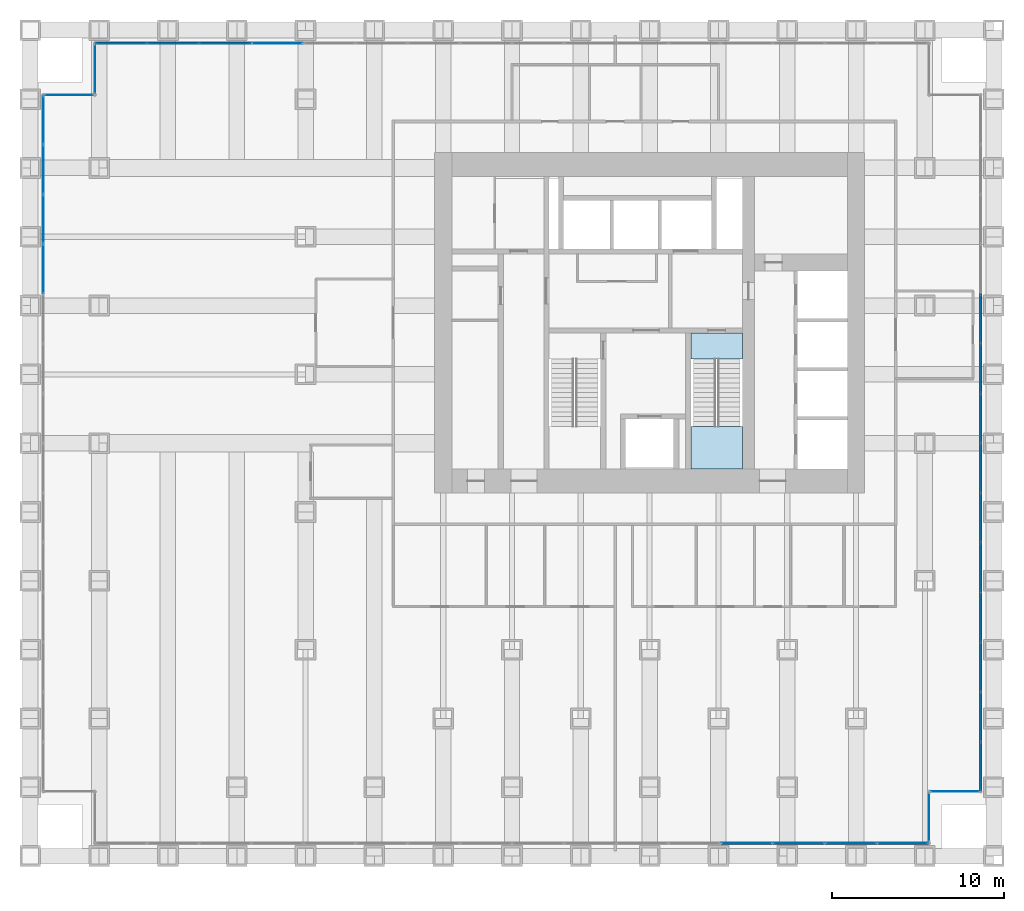
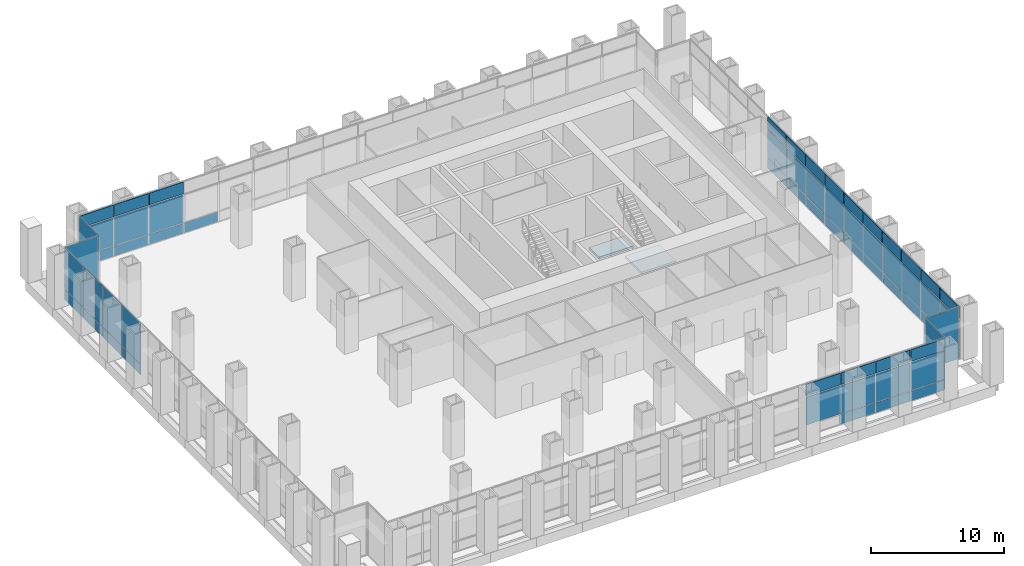
# One storey, part 13 of 18: 63 plates, 2 slabs, 12 elements without a shape of their own.
"""IFC4 building model written with IfcOpenShell, lengths in metres."""

from ifc_helpers import new_model, si_unit, direction, frame, origin, origin_2d, place, context, subcontext, project, spatial, polyline, rectangle, outline, extrude, material, layer, layer_set, type_object, element, aggregate, save


model = new_model("IFC4")

# Units and contexts
model_context = context("Model", 3, precision=1e-05, world=origin(), true_north=direction((0.0, 1.0)))
body_context = subcontext(model_context, "Body", "Model", "MODEL_VIEW")
ifc_project = project(units=[si_unit("LENGTHUNIT", "METRE"), si_unit("AREAUNIT", "SQUARE_METRE"), si_unit("VOLUMEUNIT", "CUBIC_METRE"), si_unit("PLANEANGLEUNIT", "RADIAN"), si_unit("MASSUNIT", "GRAM", prefix="KILO")], contexts=[model_context])

# Site, building, storey
site_placement = place(None, origin())
site = spatial("IfcSite", under=ifc_project, at=site_placement, CompositionType="ELEMENT")
building_placement = place(site_placement, origin())
building = spatial("IfcBuilding", under=site, at=building_placement, Name="Rimbunsela Tower", CompositionType="ELEMENT")
storey_placement = place(building_placement, frame((0.0, 0.0, 6.0)))
storey = spatial("IfcBuildingStorey", under=building, at=storey_placement, Name="L01", CompositionType="ELEMENT", Elevation=6.0)

# Curtain wall, plate
ifc_material_1 = material(Name="Aluminium curtain wall", Category="aluminium")
curtain_wall_type_1 = type_object("IfcCurtainWallType", Name="Corner glazing", PredefinedType="USERDEFINED", material=ifc_material_1)
curtain_wall_1_placement = place(storey_placement, origin())
curtain_wall_1 = element("IfcCurtainWall", 1, at=curtain_wall_1_placement, inside=storey, type_object=curtain_wall_type_1, Name="Corner glazing L01", ObjectType="CORNER GLAZING", PredefinedType="USERDEFINED")
ifc_material_2 = material(Name="Clear double glazing", Category="glass")
ifc_layer_1 = layer(ifc_material_2, 0.028076171875)
ifc_layer_set_1 = layer_set([ifc_layer_1], Name="Glazed panel clear")
plate_type_1 = type_object("IfcPlateType", Name="Glazed panel clear", PredefinedType="CURTAIN_PANEL", material=ifc_layer_set_1)
plate_1_placement = place(storey_placement, frame((46.25, -1.75, 0.06005859375), z_axis=(0.0, 0.0, 1.0), x_axis=(0.0, 1.0, 0.0)))
plate_1 = element("IfcPlate", 2, at=plate_1_placement, type_object=plate_type_1, Name="CW5 panel 1.1", PredefinedType="CURTAIN_PANEL", context=body_context, shape_type="SweptSolid", body=[
    extrude(rectangle(XDim=2.8798828125, YDim=0.028076171875, at=origin_2d()), origin(), (0.0, 0.0, 1.0), 4.72998046875),
])
aggregate(curtain_wall_1, [plate_1])

curtain_wall_2_placement = place(storey_placement, origin())
curtain_wall_2 = element("IfcCurtainWall", 3, at=curtain_wall_2_placement, inside=storey, type_object=curtain_wall_type_1, Name="Corner glazing L01", ObjectType="CORNER GLAZING", PredefinedType="USERDEFINED")
plate_2_placement = place(storey_placement, frame((47.75, -0.25, 0.06005859375), z_axis=(0.0, 0.0, 1.0), x_axis=(1.0, 0.0, 0.0)))
plate_2 = element("IfcPlate", 4, at=plate_2_placement, type_object=plate_type_1, Name="CW5 panel 1.1", PredefinedType="CURTAIN_PANEL", context=body_context, shape_type="SweptSolid", body=[
    extrude(rectangle(XDim=2.8798828125, YDim=0.028076171875, at=origin_2d()), origin(), (0.0, 0.0, 1.0), 4.72998046875),
])
aggregate(curtain_wall_2, [plate_2])

curtain_wall_3_placement = place(storey_placement, origin())
curtain_wall_3 = element("IfcCurtainWall", 5, at=curtain_wall_3_placement, inside=storey, type_object=curtain_wall_type_1, Name="Corner glazing L01", ObjectType="CORNER GLAZING", PredefinedType="USERDEFINED")
plate_3_placement = place(storey_placement, frame((-2.25, 41.75, 0.06005859375), z_axis=(0.0, 0.0, 1.0), x_axis=(0.0, -1.0, 0.0)))
plate_3 = element("IfcPlate", 6, at=plate_3_placement, type_object=plate_type_1, Name="CW5 panel 1.1", PredefinedType="CURTAIN_PANEL", context=body_context, shape_type="SweptSolid", body=[
    extrude(rectangle(XDim=2.8798828125, YDim=0.028076171875, at=origin_2d()), origin(), (0.0, 0.0, 1.0), 4.72998046875),
])
aggregate(curtain_wall_3, [plate_3])

curtain_wall_4_placement = place(storey_placement, origin())
curtain_wall_4 = element("IfcCurtainWall", 7, at=curtain_wall_4_placement, inside=storey, type_object=curtain_wall_type_1, Name="Corner glazing L01", ObjectType="CORNER GLAZING", PredefinedType="USERDEFINED")
plate_4_placement = place(storey_placement, frame((-3.75, 40.25, 0.06005859375), z_axis=(0.0, 0.0, 1.0), x_axis=(-1.0, 0.0, 0.0)))
plate_4 = element("IfcPlate", 8, at=plate_4_placement, type_object=plate_type_1, Name="CW5 panel 1.1", PredefinedType="CURTAIN_PANEL", context=body_context, shape_type="SweptSolid", body=[
    extrude(rectangle(XDim=2.8798828125, YDim=0.028076171875, at=origin_2d()), origin(), (0.0, 0.0, 1.0), 4.72998046875),
])
aggregate(curtain_wall_4, [plate_4])

# Curtain wall, plates
ifc_material_3 = material(Name="Aluminium curtain wall", Category="aluminium")
curtain_wall_type_2 = type_object("IfcCurtainWallType", Name="Podium glazing", PredefinedType="USERDEFINED", material=ifc_material_3)
curtain_wall_5_placement = place(storey_placement, origin())
curtain_wall_5 = element("IfcCurtainWall", 9, at=curtain_wall_5_placement, inside=storey, type_object=curtain_wall_type_2, Name="Podium glazing L01", ObjectType="PODIUM GLAZING", PredefinedType="USERDEFINED")
ifc_material_4 = material(Name="Laminated double glazing", Category="glass")
ifc_layer_2 = layer(ifc_material_4, 0.0400390625)
ifc_layer_set_2 = layer_set([ifc_layer_2], Name="Glazed panel laminated 40")
plate_type_2 = type_object("IfcPlateType", Name="Glazed panel laminated 40", PredefinedType="CURTAIN_PANEL", material=ifc_layer_set_2)
plate_5_placement = place(storey_placement, frame((49.25, 1.21142578125, 0.06005859375), z_axis=(0.0, 0.0, 1.0), x_axis=(0.0, 1.0, 0.0)))
plate_5 = element("IfcPlate", 10, at=plate_5_placement, type_object=plate_type_2, Name="CW1 panel 1.1", PredefinedType="CURTAIN_PANEL", context=body_context, shape_type="SweptSolid", body=[
    extrude(rectangle(XDim=2.802978515625, YDim=0.0400390625, at=origin_2d()), origin(), (0.0, 0.0, 1.0), 0.909912109375),
])
plate_6_placement = place(storey_placement, frame((49.25, 1.21142578125, 1.030029296875), z_axis=(0.0, 0.0, 1.0), x_axis=(0.0, 1.0, 0.0)))
plate_6 = element("IfcPlate", 11, at=plate_6_placement, type_object=plate_type_2, Name="CW1 panel 1.2", PredefinedType="CURTAIN_PANEL", context=body_context, shape_type="SweptSolid", body=[
    extrude(rectangle(XDim=2.802978515625, YDim=0.0400390625, at=origin_2d()), origin(), (0.0, 0.0, 1.0), 2.56005859375),
])
plate_7_placement = place(storey_placement, frame((49.25, 4.08935546875, 0.06005859375), z_axis=(0.0, 0.0, 1.0), x_axis=(0.0, 1.0, 0.0)))
plate_7 = element("IfcPlate", 12, at=plate_7_placement, type_object=plate_type_2, Name="CW1 panel 2.1", PredefinedType="CURTAIN_PANEL", context=body_context, shape_type="SweptSolid", body=[
    extrude(rectangle(XDim=2.832763671875, YDim=0.0400390625, at=origin_2d()), origin(), (0.0, 0.0, 1.0), 0.909912109375),
])
plate_8_placement = place(storey_placement, frame((49.25, 4.08935546875, 1.030029296875), z_axis=(0.0, 0.0, 1.0), x_axis=(0.0, 1.0, 0.0)))
plate_8 = element("IfcPlate", 13, at=plate_8_placement, type_object=plate_type_2, Name="CW1 panel 2.2", PredefinedType="CURTAIN_PANEL", context=body_context, shape_type="SweptSolid", body=[
    extrude(rectangle(XDim=2.832763671875, YDim=0.0400390625, at=origin_2d()), origin(), (0.0, 0.0, 1.0), 2.56005859375),
])
plate_9_placement = place(storey_placement, frame((49.25, 6.982177734375, 0.06005859375), z_axis=(0.0, 0.0, 1.0), x_axis=(0.0, 1.0, 0.0)))
plate_9 = element("IfcPlate", 14, at=plate_9_placement, type_object=plate_type_2, Name="CW1 panel 3.1", PredefinedType="CURTAIN_PANEL", context=body_context, shape_type="SweptSolid", body=[
    extrude(rectangle(XDim=2.832763671875, YDim=0.0400390625, at=origin_2d()), origin(), (0.0, 0.0, 1.0), 0.909912109375),
])
plate_10_placement = place(storey_placement, frame((49.25, 6.982177734375, 1.030029296875), z_axis=(0.0, 0.0, 1.0), x_axis=(0.0, 1.0, 0.0)))
plate_10 = element("IfcPlate", 15, at=plate_10_placement, type_object=plate_type_2, Name="CW1 panel 3.2", PredefinedType="CURTAIN_PANEL", context=body_context, shape_type="SweptSolid", body=[
    extrude(rectangle(XDim=2.832763671875, YDim=0.0400390625, at=origin_2d()), origin(), (0.0, 0.0, 1.0), 2.56005859375),
])
plate_11_placement = place(storey_placement, frame((49.25, 9.875, 0.06005859375), z_axis=(0.0, 0.0, 1.0), x_axis=(0.0, 1.0, 0.0)))
plate_11 = element("IfcPlate", 16, at=plate_11_placement, type_object=plate_type_2, Name="CW1 panel 4.1", PredefinedType="CURTAIN_PANEL", context=body_context, shape_type="SweptSolid", body=[
    extrude(rectangle(XDim=2.832763671875, YDim=0.0400390625, at=origin_2d()), origin(), (0.0, 0.0, 1.0), 0.909912109375),
])
plate_12_placement = place(storey_placement, frame((49.25, 9.875, 1.030029296875), z_axis=(0.0, 0.0, 1.0), x_axis=(0.0, 1.0, 0.0)))
plate_12 = element("IfcPlate", 17, at=plate_12_placement, type_object=plate_type_2, Name="CW1 panel 4.2", PredefinedType="CURTAIN_PANEL", context=body_context, shape_type="SweptSolid", body=[
    extrude(rectangle(XDim=2.832763671875, YDim=0.0400390625, at=origin_2d()), origin(), (0.0, 0.0, 1.0), 2.56005859375),
])
plate_13_placement = place(storey_placement, frame((49.25, 12.767822265625, 0.06005859375), z_axis=(0.0, 0.0, 1.0), x_axis=(0.0, 1.0, 0.0)))
plate_13 = element("IfcPlate", 18, at=plate_13_placement, type_object=plate_type_2, Name="CW1 panel 5.1", PredefinedType="CURTAIN_PANEL", context=body_context, shape_type="SweptSolid", body=[
    extrude(rectangle(XDim=2.832763671875, YDim=0.0400390625, at=origin_2d()), origin(), (0.0, 0.0, 1.0), 0.909912109375),
])
plate_14_placement = place(storey_placement, frame((49.25, 12.767822265625, 1.030029296875), z_axis=(0.0, 0.0, 1.0), x_axis=(0.0, 1.0, 0.0)))
plate_14 = element("IfcPlate", 19, at=plate_14_placement, type_object=plate_type_2, Name="CW1 panel 5.2", PredefinedType="CURTAIN_PANEL", context=body_context, shape_type="SweptSolid", body=[
    extrude(rectangle(XDim=2.832763671875, YDim=0.0400390625, at=origin_2d()), origin(), (0.0, 0.0, 1.0), 2.56005859375),
])
plate_15_placement = place(storey_placement, frame((49.25, 15.66064453125, 0.06005859375), z_axis=(0.0, 0.0, 1.0), x_axis=(0.0, 1.0, 0.0)))
plate_15 = element("IfcPlate", 20, at=plate_15_placement, type_object=plate_type_2, Name="CW1 panel 6.1", PredefinedType="CURTAIN_PANEL", context=body_context, shape_type="SweptSolid", body=[
    extrude(rectangle(XDim=2.832763671875, YDim=0.0400390625, at=origin_2d()), origin(), (0.0, 0.0, 1.0), 0.909912109375),
])
plate_16_placement = place(storey_placement, frame((49.25, 15.66064453125, 1.030029296875), z_axis=(0.0, 0.0, 1.0), x_axis=(0.0, 1.0, 0.0)))
plate_16 = element("IfcPlate", 21, at=plate_16_placement, type_object=plate_type_2, Name="CW1 panel 6.2", PredefinedType="CURTAIN_PANEL", context=body_context, shape_type="SweptSolid", body=[
    extrude(rectangle(XDim=2.832763671875, YDim=0.0400390625, at=origin_2d()), origin(), (0.0, 0.0, 1.0), 2.56005859375),
])
plate_17_placement = place(storey_placement, frame((49.25, 18.553466796875, 0.06005859375), z_axis=(0.0, 0.0, 1.0), x_axis=(0.0, 1.0, 0.0)))
plate_17 = element("IfcPlate", 22, at=plate_17_placement, type_object=plate_type_2, Name="CW1 panel 7.1", PredefinedType="CURTAIN_PANEL", context=body_context, shape_type="SweptSolid", body=[
    extrude(rectangle(XDim=2.832763671875, YDim=0.0400390625, at=origin_2d()), origin(), (0.0, 0.0, 1.0), 0.909912109375),
])
plate_18_placement = place(storey_placement, frame((49.25, 18.553466796875, 1.030029296875), z_axis=(0.0, 0.0, 1.0), x_axis=(0.0, 1.0, 0.0)))
plate_18 = element("IfcPlate", 23, at=plate_18_placement, type_object=plate_type_2, Name="CW1 panel 7.2", PredefinedType="CURTAIN_PANEL", context=body_context, shape_type="SweptSolid", body=[
    extrude(rectangle(XDim=2.832763671875, YDim=0.0400390625, at=origin_2d()), origin(), (0.0, 0.0, 1.0), 2.56005859375),
])
plate_19_placement = place(storey_placement, frame((49.25, 21.446533203125, 0.06005859375), z_axis=(0.0, 0.0, 1.0), x_axis=(0.0, 1.0, 0.0)))
plate_19 = element("IfcPlate", 24, at=plate_19_placement, type_object=plate_type_2, Name="CW1 panel 8.1", PredefinedType="CURTAIN_PANEL", context=body_context, shape_type="SweptSolid", body=[
    extrude(rectangle(XDim=2.832763671875, YDim=0.0400390625, at=origin_2d()), origin(), (0.0, 0.0, 1.0), 0.909912109375),
])
plate_20_placement = place(storey_placement, frame((49.25, 21.446533203125, 1.030029296875), z_axis=(0.0, 0.0, 1.0), x_axis=(0.0, 1.0, 0.0)))
plate_20 = element("IfcPlate", 25, at=plate_20_placement, type_object=plate_type_2, Name="CW1 panel 8.2", PredefinedType="CURTAIN_PANEL", context=body_context, shape_type="SweptSolid", body=[
    extrude(rectangle(XDim=2.832763671875, YDim=0.0400390625, at=origin_2d()), origin(), (0.0, 0.0, 1.0), 2.56005859375),
])
plate_21_placement = place(storey_placement, frame((49.25, 24.33935546875, 0.06005859375), z_axis=(0.0, 0.0, 1.0), x_axis=(0.0, 1.0, 0.0)))
plate_21 = element("IfcPlate", 26, at=plate_21_placement, type_object=plate_type_2, Name="CW1 panel 9.1", PredefinedType="CURTAIN_PANEL", context=body_context, shape_type="SweptSolid", body=[
    extrude(rectangle(XDim=2.832763671875, YDim=0.0400390625, at=origin_2d()), origin(), (0.0, 0.0, 1.0), 0.909912109375),
])
plate_22_placement = place(storey_placement, frame((49.25, 24.33935546875, 1.030029296875), z_axis=(0.0, 0.0, 1.0), x_axis=(0.0, 1.0, 0.0)))
plate_22 = element("IfcPlate", 27, at=plate_22_placement, type_object=plate_type_2, Name="CW1 panel 9.2", PredefinedType="CURTAIN_PANEL", context=body_context, shape_type="SweptSolid", body=[
    extrude(rectangle(XDim=2.832763671875, YDim=0.0400390625, at=origin_2d()), origin(), (0.0, 0.0, 1.0), 2.56005859375),
])
plate_23_placement = place(storey_placement, frame((49.25, 27.232177734375, 0.06005859375), z_axis=(0.0, 0.0, 1.0), x_axis=(0.0, 1.0, 0.0)))
plate_23 = element("IfcPlate", 28, at=plate_23_placement, type_object=plate_type_2, Name="CW1 panel 10.1", PredefinedType="CURTAIN_PANEL", context=body_context, shape_type="SweptSolid", body=[
    extrude(rectangle(XDim=2.832763671875, YDim=0.0400390625, at=origin_2d()), origin(), (0.0, 0.0, 1.0), 0.909912109375),
])
plate_24_placement = place(storey_placement, frame((49.25, 27.232177734375, 1.030029296875), z_axis=(0.0, 0.0, 1.0), x_axis=(0.0, 1.0, 0.0)))
plate_24 = element("IfcPlate", 29, at=plate_24_placement, type_object=plate_type_2, Name="CW1 panel 10.2", PredefinedType="CURTAIN_PANEL", context=body_context, shape_type="SweptSolid", body=[
    extrude(rectangle(XDim=2.832763671875, YDim=0.0400390625, at=origin_2d()), origin(), (0.0, 0.0, 1.0), 2.56005859375),
])
aggregate(curtain_wall_5, [plate_5, plate_6, plate_7, plate_8, plate_9, plate_10, plate_11, plate_12, plate_13, plate_14, plate_15, plate_16, plate_17, plate_18, plate_19, plate_20, plate_21, plate_22, plate_23, plate_24])

curtain_wall_6_placement = place(storey_placement, origin())
curtain_wall_6 = element("IfcCurtainWall", 30, at=curtain_wall_6_placement, inside=storey, type_object=curtain_wall_type_2, Name="Podium glazing L01", ObjectType="PODIUM GLAZING", PredefinedType="USERDEFINED")
plate_25_placement = place(storey_placement, frame((8.359375, 43.25, 0.06005859375), z_axis=(0.0, 0.0, 1.0), x_axis=(-1.0, 0.0, 0.0)))
plate_25 = element("IfcPlate", 31, at=plate_25_placement, type_object=plate_type_2, Name="CW1 panel 13.1", PredefinedType="CURTAIN_PANEL", context=body_context, shape_type="SweptSolid", body=[
    extrude(rectangle(XDim=2.97119140625, YDim=0.0400390625, at=origin_2d()), origin(), (0.0, 0.0, 1.0), 0.909912109375),
])
plate_26_placement = place(storey_placement, frame((5.328125, 43.25, 0.06005859375), z_axis=(0.0, 0.0, 1.0), x_axis=(-1.0, 0.0, 0.0)))
plate_26 = element("IfcPlate", 32, at=plate_26_placement, type_object=plate_type_2, Name="CW1 panel 14.1", PredefinedType="CURTAIN_PANEL", context=body_context, shape_type="SweptSolid", body=[
    extrude(rectangle(XDim=2.97119140625, YDim=0.0400390625, at=origin_2d()), origin(), (0.0, 0.0, 1.0), 0.909912109375),
])
plate_27_placement = place(storey_placement, frame((5.328125, 43.25, 1.030029296875), z_axis=(0.0, 0.0, 1.0), x_axis=(-1.0, 0.0, 0.0)))
plate_27 = element("IfcPlate", 33, at=plate_27_placement, type_object=plate_type_2, Name="CW1 panel 14.2", PredefinedType="CURTAIN_PANEL", context=body_context, shape_type="SweptSolid", body=[
    extrude(rectangle(XDim=2.97119140625, YDim=0.0400390625, at=origin_2d()), origin(), (0.0, 0.0, 1.0), 2.56005859375),
])
plate_28_placement = place(storey_placement, frame((2.296875, 43.25, 0.06005859375), z_axis=(0.0, 0.0, 1.0), x_axis=(-1.0, 0.0, 0.0)))
plate_28 = element("IfcPlate", 34, at=plate_28_placement, type_object=plate_type_2, Name="CW1 panel 15.1", PredefinedType="CURTAIN_PANEL", context=body_context, shape_type="SweptSolid", body=[
    extrude(rectangle(XDim=2.97119140625, YDim=0.0400390625, at=origin_2d()), origin(), (0.0, 0.0, 1.0), 0.909912109375),
])
plate_29_placement = place(storey_placement, frame((2.296875, 43.25, 1.030029296875), z_axis=(0.0, 0.0, 1.0), x_axis=(-1.0, 0.0, 0.0)))
plate_29 = element("IfcPlate", 35, at=plate_29_placement, type_object=plate_type_2, Name="CW1 panel 15.2", PredefinedType="CURTAIN_PANEL", context=body_context, shape_type="SweptSolid", body=[
    extrude(rectangle(XDim=2.97119140625, YDim=0.0400390625, at=origin_2d()), origin(), (0.0, 0.0, 1.0), 2.56005859375),
])
plate_30_placement = place(storey_placement, frame((-0.719482421875, 43.25, 0.06005859375), z_axis=(0.0, 0.0, 1.0), x_axis=(-1.0, 0.0, 0.0)))
plate_30 = element("IfcPlate", 36, at=plate_30_placement, type_object=plate_type_2, Name="CW1 panel 16.1", PredefinedType="CURTAIN_PANEL", context=body_context, shape_type="SweptSolid", body=[
    extrude(rectangle(XDim=2.941162109375, YDim=0.0400390625, at=origin_2d()), origin(), (0.0, 0.0, 1.0), 0.909912109375),
])
plate_31_placement = place(storey_placement, frame((-0.719482421875, 43.25, 1.030029296875), z_axis=(0.0, 0.0, 1.0), x_axis=(-1.0, 0.0, 0.0)))
plate_31 = element("IfcPlate", 37, at=plate_31_placement, type_object=plate_type_2, Name="CW1 panel 16.2", PredefinedType="CURTAIN_PANEL", context=body_context, shape_type="SweptSolid", body=[
    extrude(rectangle(XDim=2.941162109375, YDim=0.0400390625, at=origin_2d()), origin(), (0.0, 0.0, 1.0), 2.56005859375),
])
aggregate(curtain_wall_6, [plate_25, plate_26, plate_27, plate_28, plate_29, plate_30, plate_31])

curtain_wall_7_placement = place(storey_placement, origin())
curtain_wall_7 = element("IfcCurtainWall", 38, at=curtain_wall_7_placement, inside=storey, type_object=curtain_wall_type_2, Name="Podium glazing L01", ObjectType="PODIUM GLAZING", PredefinedType="USERDEFINED")
plate_32_placement = place(storey_placement, frame((-5.25, 38.78857421875, 0.06005859375), z_axis=(0.0, 0.0, 1.0), x_axis=(0.0, -1.0, 0.0)))
plate_32 = element("IfcPlate", 39, at=plate_32_placement, type_object=plate_type_2, Name="CW1 panel 1.1", PredefinedType="CURTAIN_PANEL", context=body_context, shape_type="SweptSolid", body=[
    extrude(rectangle(XDim=2.802978515625, YDim=0.0400390625, at=origin_2d()), origin(), (0.0, 0.0, 1.0), 0.909912109375),
])
plate_33_placement = place(storey_placement, frame((-5.25, 38.78857421875, 1.02978515625), z_axis=(0.0, 0.0, 1.0), x_axis=(0.0, -1.0, 0.0)))
plate_33 = element("IfcPlate", 40, at=plate_33_placement, type_object=plate_type_2, Name="CW1 panel 1.2", PredefinedType="CURTAIN_PANEL", context=body_context, shape_type="SweptSolid", body=[
    extrude(rectangle(XDim=2.802978515625, YDim=0.0400390625, at=origin_2d()), origin(), (0.0, 0.0, 1.0), 3.760009765625),
])
plate_34_placement = place(storey_placement, frame((-5.25, 35.91064453125, 0.06005859375), z_axis=(0.0, 0.0, 1.0), x_axis=(0.0, -1.0, 0.0)))
plate_34 = element("IfcPlate", 41, at=plate_34_placement, type_object=plate_type_2, Name="CW1 panel 2.1", PredefinedType="CURTAIN_PANEL", context=body_context, shape_type="SweptSolid", body=[
    extrude(rectangle(XDim=2.832763671875, YDim=0.0400390625, at=origin_2d()), origin(), (0.0, 0.0, 1.0), 0.909912109375),
])
plate_35_placement = place(storey_placement, frame((-5.25, 35.91064453125, 1.02978515625), z_axis=(0.0, 0.0, 1.0), x_axis=(0.0, -1.0, 0.0)))
plate_35 = element("IfcPlate", 42, at=plate_35_placement, type_object=plate_type_2, Name="CW1 panel 2.2", PredefinedType="CURTAIN_PANEL", context=body_context, shape_type="SweptSolid", body=[
    extrude(rectangle(XDim=2.832763671875, YDim=0.0400390625, at=origin_2d()), origin(), (0.0, 0.0, 1.0), 3.760009765625),
])
plate_36_placement = place(storey_placement, frame((-5.25, 33.017822265625, 0.06005859375), z_axis=(0.0, 0.0, 1.0), x_axis=(0.0, -1.0, 0.0)))
plate_36 = element("IfcPlate", 43, at=plate_36_placement, type_object=plate_type_2, Name="CW1 panel 3.1", PredefinedType="CURTAIN_PANEL", context=body_context, shape_type="SweptSolid", body=[
    extrude(rectangle(XDim=2.832763671875, YDim=0.0400390625, at=origin_2d()), origin(), (0.0, 0.0, 1.0), 0.909912109375),
])
plate_37_placement = place(storey_placement, frame((-5.25, 33.017822265625, 1.02978515625), z_axis=(0.0, 0.0, 1.0), x_axis=(0.0, -1.0, 0.0)))
plate_37 = element("IfcPlate", 44, at=plate_37_placement, type_object=plate_type_2, Name="CW1 panel 3.2", PredefinedType="CURTAIN_PANEL", context=body_context, shape_type="SweptSolid", body=[
    extrude(rectangle(XDim=2.832763671875, YDim=0.0400390625, at=origin_2d()), origin(), (0.0, 0.0, 1.0), 3.760009765625),
])
plate_38_placement = place(storey_placement, frame((-5.25, 30.125, 0.06005859375), z_axis=(0.0, 0.0, 1.0), x_axis=(0.0, -1.0, 0.0)))
plate_38 = element("IfcPlate", 45, at=plate_38_placement, type_object=plate_type_2, Name="CW1 panel 4.1", PredefinedType="CURTAIN_PANEL", context=body_context, shape_type="SweptSolid", body=[
    extrude(rectangle(XDim=2.832763671875, YDim=0.0400390625, at=origin_2d()), origin(), (0.0, 0.0, 1.0), 0.909912109375),
])
plate_39_placement = place(storey_placement, frame((-5.25, 30.125, 1.02978515625), z_axis=(0.0, 0.0, 1.0), x_axis=(0.0, -1.0, 0.0)))
plate_39 = element("IfcPlate", 46, at=plate_39_placement, type_object=plate_type_2, Name="CW1 panel 4.2", PredefinedType="CURTAIN_PANEL", context=body_context, shape_type="SweptSolid", body=[
    extrude(rectangle(XDim=2.832763671875, YDim=0.0400390625, at=origin_2d()), origin(), (0.0, 0.0, 1.0), 3.760009765625),
])
aggregate(curtain_wall_7, [plate_32, plate_33, plate_34, plate_35, plate_36, plate_37, plate_38, plate_39])

curtain_wall_8_placement = place(storey_placement, origin())
curtain_wall_8 = element("IfcCurtainWall", 47, at=curtain_wall_8_placement, inside=storey, type_object=curtain_wall_type_2, Name="Podium glazing L01", ObjectType="PODIUM GLAZING", PredefinedType="USERDEFINED")
plate_40_placement = place(storey_placement, frame((35.640625, -3.25, 1.030029296875), z_axis=(0.0, 0.0, 1.0), x_axis=(1.0, 0.0, 0.0)))
plate_40 = element("IfcPlate", 48, at=plate_40_placement, type_object=plate_type_2, Name="CW1 panel 13.2", PredefinedType="CURTAIN_PANEL", context=body_context, shape_type="SweptSolid", body=[
    extrude(rectangle(XDim=2.97119140625, YDim=0.0400390625, at=origin_2d()), origin(), (0.0, 0.0, 1.0), 2.56005859375),
])
plate_41_placement = place(storey_placement, frame((38.671875, -3.25, 0.06005859375), z_axis=(0.0, 0.0, 1.0), x_axis=(1.0, 0.0, 0.0)))
plate_41 = element("IfcPlate", 49, at=plate_41_placement, type_object=plate_type_2, Name="CW1 panel 14.1", PredefinedType="CURTAIN_PANEL", context=body_context, shape_type="SweptSolid", body=[
    extrude(rectangle(XDim=2.97119140625, YDim=0.0400390625, at=origin_2d()), origin(), (0.0, 0.0, 1.0), 0.909912109375),
])
plate_42_placement = place(storey_placement, frame((38.671875, -3.25, 1.030029296875), z_axis=(0.0, 0.0, 1.0), x_axis=(1.0, 0.0, 0.0)))
plate_42 = element("IfcPlate", 50, at=plate_42_placement, type_object=plate_type_2, Name="CW1 panel 14.2", PredefinedType="CURTAIN_PANEL", context=body_context, shape_type="SweptSolid", body=[
    extrude(rectangle(XDim=2.97119140625, YDim=0.0400390625, at=origin_2d()), origin(), (0.0, 0.0, 1.0), 2.56005859375),
])
plate_43_placement = place(storey_placement, frame((41.703125, -3.25, 0.06005859375), z_axis=(0.0, 0.0, 1.0), x_axis=(1.0, 0.0, 0.0)))
plate_43 = element("IfcPlate", 51, at=plate_43_placement, type_object=plate_type_2, Name="CW1 panel 15.1", PredefinedType="CURTAIN_PANEL", context=body_context, shape_type="SweptSolid", body=[
    extrude(rectangle(XDim=2.97119140625, YDim=0.0400390625, at=origin_2d()), origin(), (0.0, 0.0, 1.0), 0.909912109375),
])
plate_44_placement = place(storey_placement, frame((41.703125, -3.25, 1.030029296875), z_axis=(0.0, 0.0, 1.0), x_axis=(1.0, 0.0, 0.0)))
plate_44 = element("IfcPlate", 52, at=plate_44_placement, type_object=plate_type_2, Name="CW1 panel 15.2", PredefinedType="CURTAIN_PANEL", context=body_context, shape_type="SweptSolid", body=[
    extrude(rectangle(XDim=2.97119140625, YDim=0.0400390625, at=origin_2d()), origin(), (0.0, 0.0, 1.0), 2.56005859375),
])
plate_45_placement = place(storey_placement, frame((44.719482421875, -3.25, 0.06005859375), z_axis=(0.0, 0.0, 1.0), x_axis=(1.0, 0.0, 0.0)))
plate_45 = element("IfcPlate", 53, at=plate_45_placement, type_object=plate_type_2, Name="CW1 panel 16.1", PredefinedType="CURTAIN_PANEL", context=body_context, shape_type="SweptSolid", body=[
    extrude(rectangle(XDim=2.941162109375, YDim=0.0400390625, at=origin_2d()), origin(), (0.0, 0.0, 1.0), 0.909912109375),
])
plate_46_placement = place(storey_placement, frame((44.719482421875, -3.25, 1.030029296875), z_axis=(0.0, 0.0, 1.0), x_axis=(1.0, 0.0, 0.0)))
plate_46 = element("IfcPlate", 54, at=plate_46_placement, type_object=plate_type_2, Name="CW1 panel 16.2", PredefinedType="CURTAIN_PANEL", context=body_context, shape_type="SweptSolid", body=[
    extrude(rectangle(XDim=2.941162109375, YDim=0.0400390625, at=origin_2d()), origin(), (0.0, 0.0, 1.0), 2.56005859375),
])
aggregate(curtain_wall_8, [plate_40, plate_41, plate_42, plate_43, plate_44, plate_45, plate_46])

ifc_material_5 = material(Name="Aluminium curtain wall", Category="aluminium")
curtain_wall_type_3 = type_object("IfcCurtainWallType", Name="Spandrel wall", PredefinedType="USERDEFINED", material=ifc_material_5)
curtain_wall_9_placement = place(storey_placement, origin())
curtain_wall_9 = element("IfcCurtainWall", 55, at=curtain_wall_9_placement, inside=storey, type_object=curtain_wall_type_3, Name="Spandrel wall L01", ObjectType="SPANDREL WALL", PredefinedType="USERDEFINED")
ifc_material_6 = material(Name="Insulated aluminium spandrel panel", Category="aluminium")
ifc_layer_3 = layer(ifc_material_6, 0.10009765625)
ifc_layer_set_3 = layer_set([ifc_layer_3], Name="Insulated panel 100")
plate_type_3 = type_object("IfcPlateType", Name="Insulated panel 100", PredefinedType="CURTAIN_PANEL", material=ifc_layer_set_3)
plate_47_placement = place(storey_placement, frame((49.25, 1.21142578125, 3.7099609375), z_axis=(0.0, 0.0, 1.0), x_axis=(0.0, 1.0, 0.0)))
plate_47 = element("IfcPlate", 56, at=plate_47_placement, type_object=plate_type_3, Name="CW7 panel 1.1", PredefinedType="CURTAIN_PANEL", context=body_context, shape_type="SweptSolid", body=[
    extrude(rectangle(XDim=2.802978515625, YDim=0.10009765625, at=origin_2d()), origin(), (0.0, 0.0, 1.0), 1.080078125),
])
plate_48_placement = place(storey_placement, frame((49.25, 4.08935546875, 3.7099609375), z_axis=(0.0, 0.0, 1.0), x_axis=(0.0, 1.0, 0.0)))
plate_48 = element("IfcPlate", 57, at=plate_48_placement, type_object=plate_type_3, Name="CW7 panel 2.1", PredefinedType="CURTAIN_PANEL", context=body_context, shape_type="SweptSolid", body=[
    extrude(rectangle(XDim=2.832763671875, YDim=0.10009765625, at=origin_2d()), origin(), (0.0, 0.0, 1.0), 1.080078125),
])
plate_49_placement = place(storey_placement, frame((49.25, 6.982177734375, 3.7099609375), z_axis=(0.0, 0.0, 1.0), x_axis=(0.0, 1.0, 0.0)))
plate_49 = element("IfcPlate", 58, at=plate_49_placement, type_object=plate_type_3, Name="CW7 panel 3.1", PredefinedType="CURTAIN_PANEL", context=body_context, shape_type="SweptSolid", body=[
    extrude(rectangle(XDim=2.832763671875, YDim=0.10009765625, at=origin_2d()), origin(), (0.0, 0.0, 1.0), 1.080078125),
])
plate_50_placement = place(storey_placement, frame((49.25, 9.875, 3.7099609375), z_axis=(0.0, 0.0, 1.0), x_axis=(0.0, 1.0, 0.0)))
plate_50 = element("IfcPlate", 59, at=plate_50_placement, type_object=plate_type_3, Name="CW7 panel 4.1", PredefinedType="CURTAIN_PANEL", context=body_context, shape_type="SweptSolid", body=[
    extrude(rectangle(XDim=2.832763671875, YDim=0.10009765625, at=origin_2d()), origin(), (0.0, 0.0, 1.0), 1.080078125),
])
plate_51_placement = place(storey_placement, frame((49.25, 12.767822265625, 3.7099609375), z_axis=(0.0, 0.0, 1.0), x_axis=(0.0, 1.0, 0.0)))
plate_51 = element("IfcPlate", 60, at=plate_51_placement, type_object=plate_type_3, Name="CW7 panel 5.1", PredefinedType="CURTAIN_PANEL", context=body_context, shape_type="SweptSolid", body=[
    extrude(rectangle(XDim=2.832763671875, YDim=0.10009765625, at=origin_2d()), origin(), (0.0, 0.0, 1.0), 1.080078125),
])
plate_52_placement = place(storey_placement, frame((49.25, 15.66064453125, 3.7099609375), z_axis=(0.0, 0.0, 1.0), x_axis=(0.0, 1.0, 0.0)))
plate_52 = element("IfcPlate", 61, at=plate_52_placement, type_object=plate_type_3, Name="CW7 panel 6.1", PredefinedType="CURTAIN_PANEL", context=body_context, shape_type="SweptSolid", body=[
    extrude(rectangle(XDim=2.832763671875, YDim=0.10009765625, at=origin_2d()), origin(), (0.0, 0.0, 1.0), 1.080078125),
])
plate_53_placement = place(storey_placement, frame((49.25, 18.553466796875, 3.7099609375), z_axis=(0.0, 0.0, 1.0), x_axis=(0.0, 1.0, 0.0)))
plate_53 = element("IfcPlate", 62, at=plate_53_placement, type_object=plate_type_3, Name="CW7 panel 7.1", PredefinedType="CURTAIN_PANEL", context=body_context, shape_type="SweptSolid", body=[
    extrude(rectangle(XDim=2.832763671875, YDim=0.10009765625, at=origin_2d()), origin(), (0.0, 0.0, 1.0), 1.080078125),
])
plate_54_placement = place(storey_placement, frame((49.25, 21.446533203125, 3.7099609375), z_axis=(0.0, 0.0, 1.0), x_axis=(0.0, 1.0, 0.0)))
plate_54 = element("IfcPlate", 63, at=plate_54_placement, type_object=plate_type_3, Name="CW7 panel 8.1", PredefinedType="CURTAIN_PANEL", context=body_context, shape_type="SweptSolid", body=[
    extrude(rectangle(XDim=2.832763671875, YDim=0.10009765625, at=origin_2d()), origin(), (0.0, 0.0, 1.0), 1.080078125),
])
plate_55_placement = place(storey_placement, frame((49.25, 24.33935546875, 3.7099609375), z_axis=(0.0, 0.0, 1.0), x_axis=(0.0, 1.0, 0.0)))
plate_55 = element("IfcPlate", 64, at=plate_55_placement, type_object=plate_type_3, Name="CW7 panel 9.1", PredefinedType="CURTAIN_PANEL", context=body_context, shape_type="SweptSolid", body=[
    extrude(rectangle(XDim=2.832763671875, YDim=0.10009765625, at=origin_2d()), origin(), (0.0, 0.0, 1.0), 1.080078125),
])
plate_56_placement = place(storey_placement, frame((49.25, 27.232177734375, 3.7099609375), z_axis=(0.0, 0.0, 1.0), x_axis=(0.0, 1.0, 0.0)))
plate_56 = element("IfcPlate", 65, at=plate_56_placement, type_object=plate_type_3, Name="CW7 panel 10.1", PredefinedType="CURTAIN_PANEL", context=body_context, shape_type="SweptSolid", body=[
    extrude(rectangle(XDim=2.832763671875, YDim=0.10009765625, at=origin_2d()), origin(), (0.0, 0.0, 1.0), 1.080078125),
])
aggregate(curtain_wall_9, [plate_47, plate_48, plate_49, plate_50, plate_51, plate_52, plate_53, plate_54, plate_55, plate_56])

curtain_wall_10_placement = place(storey_placement, origin())
curtain_wall_10 = element("IfcCurtainWall", 66, at=curtain_wall_10_placement, inside=storey, type_object=curtain_wall_type_3, Name="Spandrel wall L01", ObjectType="SPANDREL WALL", PredefinedType="USERDEFINED")
plate_57_placement = place(storey_placement, frame((5.328125, 43.25, 3.7099609375), z_axis=(0.0, 0.0, 1.0), x_axis=(-1.0, 0.0, 0.0)))
plate_57 = element("IfcPlate", 67, at=plate_57_placement, type_object=plate_type_3, Name="CW7 panel 14.1", PredefinedType="CURTAIN_PANEL", context=body_context, shape_type="SweptSolid", body=[
    extrude(rectangle(XDim=2.97119140625, YDim=0.10009765625, at=origin_2d()), origin(), (0.0, 0.0, 1.0), 1.080078125),
])
plate_58_placement = place(storey_placement, frame((2.296875, 43.25, 3.7099609375), z_axis=(0.0, 0.0, 1.0), x_axis=(-1.0, 0.0, 0.0)))
plate_58 = element("IfcPlate", 68, at=plate_58_placement, type_object=plate_type_3, Name="CW7 panel 15.1", PredefinedType="CURTAIN_PANEL", context=body_context, shape_type="SweptSolid", body=[
    extrude(rectangle(XDim=2.97119140625, YDim=0.10009765625, at=origin_2d()), origin(), (0.0, 0.0, 1.0), 1.080078125),
])
plate_59_placement = place(storey_placement, frame((-0.719482421875, 43.25, 3.7099609375), z_axis=(0.0, 0.0, 1.0), x_axis=(-1.0, 0.0, 0.0)))
plate_59 = element("IfcPlate", 69, at=plate_59_placement, type_object=plate_type_3, Name="CW7 panel 16.1", PredefinedType="CURTAIN_PANEL", context=body_context, shape_type="SweptSolid", body=[
    extrude(rectangle(XDim=2.941162109375, YDim=0.10009765625, at=origin_2d()), origin(), (0.0, 0.0, 1.0), 1.080078125),
])
aggregate(curtain_wall_10, [plate_57, plate_58, plate_59])

curtain_wall_11_placement = place(storey_placement, origin())
curtain_wall_11 = element("IfcCurtainWall", 70, at=curtain_wall_11_placement, inside=storey, type_object=curtain_wall_type_3, Name="Spandrel wall L01", ObjectType="SPANDREL WALL", PredefinedType="USERDEFINED")
plate_60_placement = place(storey_placement, frame((35.640625, -3.25, 3.7099609375), z_axis=(0.0, 0.0, 1.0), x_axis=(1.0, 0.0, 0.0)))
plate_60 = element("IfcPlate", 71, at=plate_60_placement, type_object=plate_type_3, Name="CW7 panel 13.1", PredefinedType="CURTAIN_PANEL", context=body_context, shape_type="SweptSolid", body=[
    extrude(rectangle(XDim=2.97119140625, YDim=0.10009765625, at=origin_2d()), origin(), (0.0, 0.0, 1.0), 1.080078125),
])
plate_61_placement = place(storey_placement, frame((38.671875, -3.25, 3.7099609375), z_axis=(0.0, 0.0, 1.0), x_axis=(1.0, 0.0, 0.0)))
plate_61 = element("IfcPlate", 72, at=plate_61_placement, type_object=plate_type_3, Name="CW7 panel 14.1", PredefinedType="CURTAIN_PANEL", context=body_context, shape_type="SweptSolid", body=[
    extrude(rectangle(XDim=2.97119140625, YDim=0.10009765625, at=origin_2d()), origin(), (0.0, 0.0, 1.0), 1.080078125),
])
plate_62_placement = place(storey_placement, frame((41.703125, -3.25, 3.7099609375), z_axis=(0.0, 0.0, 1.0), x_axis=(1.0, 0.0, 0.0)))
plate_62 = element("IfcPlate", 73, at=plate_62_placement, type_object=plate_type_3, Name="CW7 panel 15.1", PredefinedType="CURTAIN_PANEL", context=body_context, shape_type="SweptSolid", body=[
    extrude(rectangle(XDim=2.97119140625, YDim=0.10009765625, at=origin_2d()), origin(), (0.0, 0.0, 1.0), 1.080078125),
])
plate_63_placement = place(storey_placement, frame((44.719482421875, -3.25, 3.7099609375), z_axis=(0.0, 0.0, 1.0), x_axis=(1.0, 0.0, 0.0)))
plate_63 = element("IfcPlate", 74, at=plate_63_placement, type_object=plate_type_3, Name="CW7 panel 16.1", PredefinedType="CURTAIN_PANEL", context=body_context, shape_type="SweptSolid", body=[
    extrude(rectangle(XDim=2.941162109375, YDim=0.10009765625, at=origin_2d()), origin(), (0.0, 0.0, 1.0), 1.080078125),
])
aggregate(curtain_wall_11, [plate_60, plate_61, plate_62, plate_63])

# Stair, slabs
ifc_material_7 = material(Name="Concrete fc' 35 MPa", Category="concrete")
stair_type = type_object("IfcStairType", Name="Exit stair 30 risers", PredefinedType="HALF_TURN_STAIR", material=ifc_material_7)
stair_placement = place(storey_placement, origin())
stair = element("IfcStair", 75, at=stair_placement, inside=storey, type_object=stair_type, Name="Exit stair B L01", PredefinedType="HALF_TURN_STAIR")
ifc_material_8 = material(Name="Concrete fc' 35 MPa", Category="concrete")
ifc_layer_4 = layer(ifc_material_8, 0.199951171875)
ifc_layer_set_4 = layer_set([ifc_layer_4], Name="Stair landing 200")
slab_type = type_object("IfcSlabType", Name="Stair landing 200", PredefinedType="LANDING", material=ifc_layer_set_4)
slab_1_placement = place(storey_placement, frame((0.0, 0.0, -0.199951171875)))
slab_1 = element("IfcSlab", 76, at=slab_1_placement, type_object=slab_type, Name="ST-B landing 1", PredefinedType="LANDING", context=body_context, shape_type="SweptSolid", body=[
    extrude(outline(polyline([(32.39990234375, 24.89990234375), (35.39990234375, 24.89990234375), (35.39990234375, 26.39990234375), (32.39990234375, 26.39990234375), (32.39990234375, 24.89990234375)])), origin(), (0.0, 0.0, 1.0), 0.199951171875),
])
slab_2_placement = place(storey_placement, frame((0.0, 0.0, 2.300048828125)))
slab_2 = element("IfcSlab", 77, at=slab_2_placement, type_object=slab_type, Name="ST-B landing 2", PredefinedType="LANDING", context=body_context, shape_type="SweptSolid", body=[
    extrude(outline(polyline([(32.39990234375, 18.5), (35.39990234375, 18.5), (35.39990234375, 20.97998046875), (32.39990234375, 20.97998046875), (32.39990234375, 18.5)])), origin(), (0.0, 0.0, 1.0), 0.199951171875),
])
aggregate(stair, [slab_1, slab_2])

save(model, "model.ifc")
